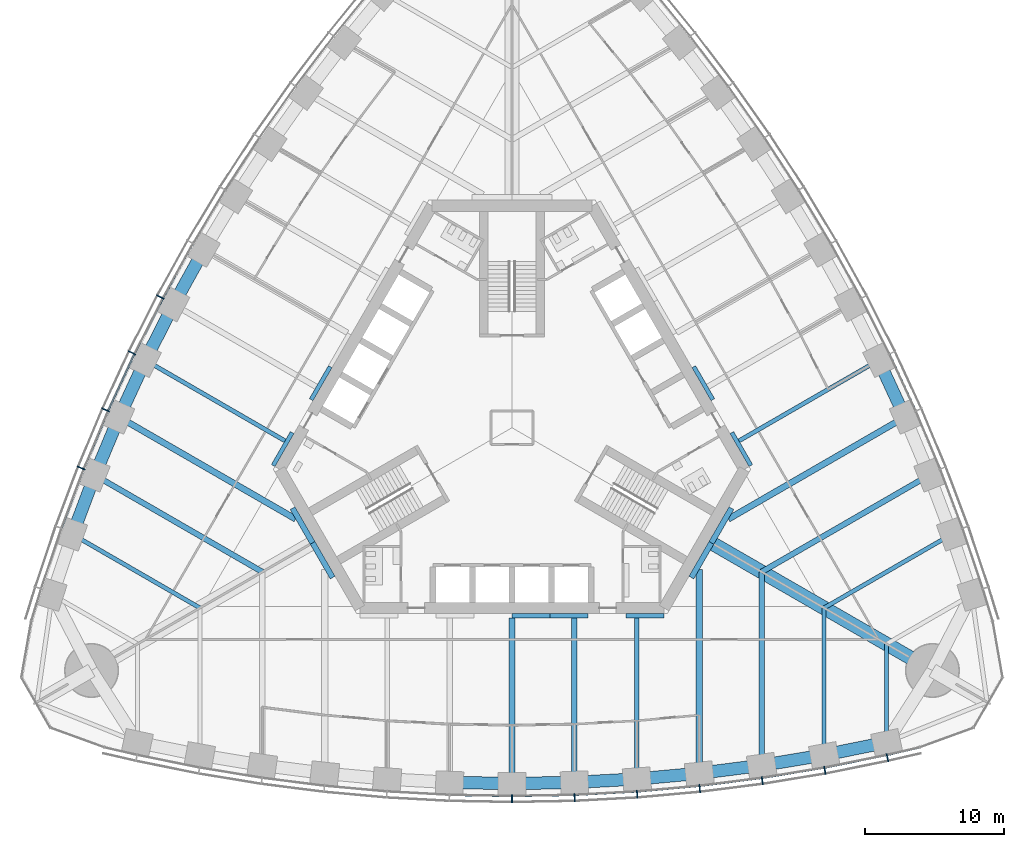
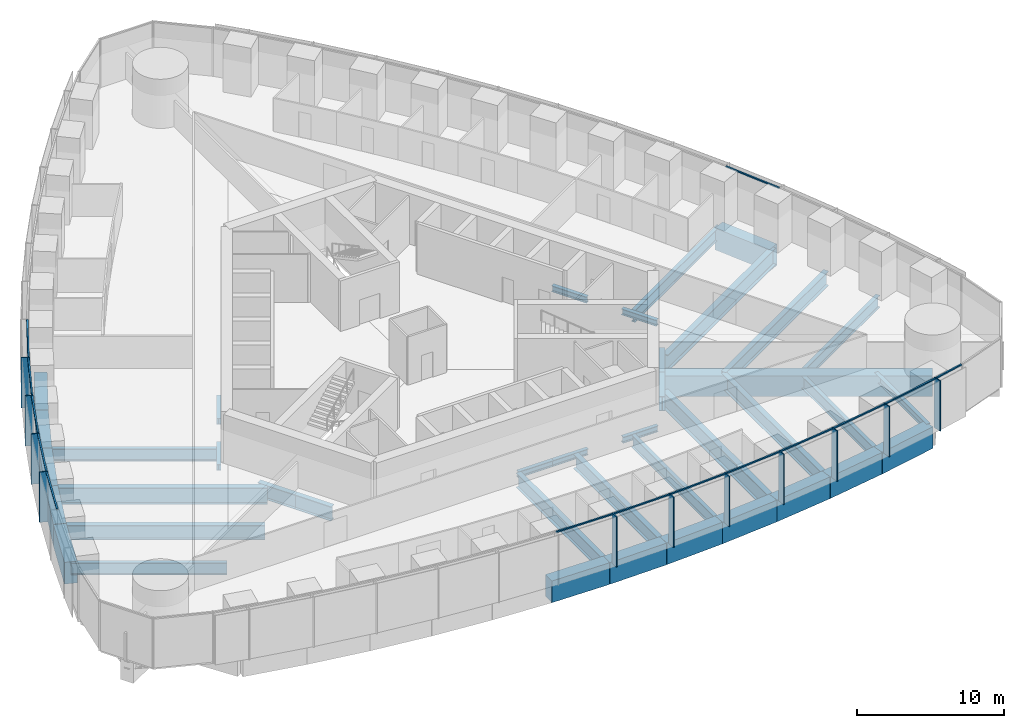
# One storey, part 3 of 19: 40 beams, 25 members, 3 elements without a shape of their own.
"""IFC4 building model written with IfcOpenShell, lengths in metres."""

from ifc_helpers import new_model, si_unit, direction, frame, origin, origin_2d, place, context, subcontext, project, spatial, rectangle, i_section, extrude, material, material_profile, profile_set, type_object, element, aggregate, save


model = new_model("IFC4")

# Units and contexts
model_context = context("Model", 3, precision=1e-05, world=origin(), true_north=direction((0.0, 1.0)))
body_context = subcontext(model_context, "Body", "Model", "MODEL_VIEW")
ifc_project = project(units=[si_unit("LENGTHUNIT", "METRE"), si_unit("AREAUNIT", "SQUARE_METRE"), si_unit("VOLUMEUNIT", "CUBIC_METRE"), si_unit("PLANEANGLEUNIT", "RADIAN"), si_unit("MASSUNIT", "GRAM", prefix="KILO")], contexts=[model_context])

# Site, building, storey
site_placement = place(None, origin())
site = spatial("IfcSite", under=ifc_project, at=site_placement, CompositionType="ELEMENT")
building_placement = place(site_placement, origin())
building = spatial("IfcBuilding", under=site, at=building_placement, Name="Trefoil Bronze Tower", CompositionType="ELEMENT")
storey_placement = place(building_placement, frame((0.0, 0.0, 166.10009765625)))
storey = spatial("IfcBuildingStorey", under=building, at=storey_placement, Name="L38", CompositionType="ELEMENT", Elevation=166.10009765625)

# Curtain wall, members
ifc_material_1 = material(Name="Tinted solar-control glass", Category="glass")
curtain_wall_type = type_object("IfcCurtainWallType", Name="Bronze office curtain wall", PredefinedType="USERDEFINED", material=ifc_material_1)
curtain_wall_1_placement = place(storey_placement, origin())
curtain_wall_1 = element("IfcCurtainWall", 1, at=curtain_wall_1_placement, inside=storey, type_object=curtain_wall_type, Name="CW-A L38 F1", ObjectType="CURTAIN WALL", PredefinedType="USERDEFINED")
ifc_material_2 = material(Name="Bronze-finish aluminium", Category="aluminium")
ifc_material_profile_1 = material_profile(ifc_material_2, rectangle(XDim=0.60009765625, YDim=0.080078125, at=origin_2d()), Name="CW-A mullion")
ifc_profile_set_1 = profile_set([ifc_material_profile_1], Name="Bronze-finish aluminium")
member_type_1 = type_object("IfcMemberType", Name="Bronze office curtain wall mullion", PredefinedType="MULLION", material=ifc_profile_set_1)
member_1_placement = place(storey_placement, frame((0.0, -26.749755859375, 0.0), z_axis=(0.0, 0.0, 1.0), x_axis=(0.0, 1.0, 0.0)))
member_1 = element("IfcMember", 2, at=member_1_placement, type_object=member_type_1, Name="CW-A L38 F1 mullion 8", PredefinedType="MULLION", context=body_context, shape_type="SweptSolid", body=[
    extrude(rectangle(XDim=0.60009765625, YDim=0.080078125, at=origin_2d()), origin(), (0.0, 0.0, 1.0), 4.179931640625),
])
member_2_placement = place(storey_placement, frame((4.5107421875, -26.66845703125, 0.0), z_axis=(0.0, 0.0, 1.0), x_axis=(-0.036047792107, 0.999350067136, 0.0)))
member_2 = element("IfcMember", 3, at=member_2_placement, type_object=member_type_1, Name="CW-A L38 F1 mullion 9", PredefinedType="MULLION", context=body_context, shape_type="SweptSolid", body=[
    extrude(rectangle(XDim=0.60009765625, YDim=0.080078125, at=origin_2d()), origin(), (0.0, 0.0, 1.0), 4.179931640625),
])
member_3_placement = place(storey_placement, frame((9.021728515625, -26.424072265625, 0.0), z_axis=(0.0, 0.0, 1.0), x_axis=(-0.072095676284, 0.997397720802, 0.0)))
member_3 = element("IfcMember", 4, at=member_3_placement, type_object=member_type_1, Name="CW-A L38 F1 mullion 10", PredefinedType="MULLION", context=body_context, shape_type="SweptSolid", body=[
    extrude(rectangle(XDim=0.60009765625, YDim=0.080078125, at=origin_2d()), origin(), (0.0, 0.0, 1.0), 4.179931640625),
])
member_4_placement = place(storey_placement, frame((13.532470703125, -26.01611328125, 0.0), z_axis=(0.0, 0.0, 1.0), x_axis=(-0.108143747013, 0.994135267447, 0.0)))
member_4 = element("IfcMember", 5, at=member_4_placement, type_object=member_type_1, Name="CW-A L38 F1 mullion 11", PredefinedType="MULLION", context=body_context, shape_type="SweptSolid", body=[
    extrude(rectangle(XDim=0.60009765625, YDim=0.080078125, at=origin_2d()), origin(), (0.0, 0.0, 1.0), 4.179931640625),
])
member_5_placement = place(storey_placement, frame((18.043212890625, -25.4423828125, 0.0), z_axis=(0.0, 0.0, 1.0), x_axis=(-0.144192103798, 0.989549714366, 0.0)))
member_5 = element("IfcMember", 6, at=member_5_placement, type_object=member_type_1, Name="CW-A L38 F1 mullion 12", PredefinedType="MULLION", context=body_context, shape_type="SweptSolid", body=[
    extrude(rectangle(XDim=0.60009765625, YDim=0.080078125, at=origin_2d()), origin(), (0.0, 0.0, 1.0), 4.179931640625),
])
member_6_placement = place(storey_placement, frame((22.553955078125, -24.700927734375, 0.0), z_axis=(0.0, 0.0, 1.0), x_axis=(-0.180240853954, 0.98362250613, 0.0)))
member_6 = element("IfcMember", 7, at=member_6_placement, type_object=member_type_1, Name="CW-A L38 F1 mullion 13", PredefinedType="MULLION", context=body_context, shape_type="SweptSolid", body=[
    extrude(rectangle(XDim=0.60009765625, YDim=0.080078125, at=origin_2d()), origin(), (0.0, 0.0, 1.0), 4.179931640625),
])
member_7_placement = place(storey_placement, frame((27.0634765625, -23.7890625, 0.0), z_axis=(0.0, 0.0, 1.0), x_axis=(-0.21197042503, 0.977276081214, 0.0)))
member_7 = element("IfcMember", 8, at=member_7_placement, type_object=member_type_1, Name="CW-A L38 F1 mullion 14", PredefinedType="MULLION", context=body_context, shape_type="SweptSolid", body=[
    extrude(rectangle(XDim=0.60009765625, YDim=0.080078125, at=origin_2d()), origin(), (0.0, 0.0, 1.0), 4.179931640625),
])

curtain_wall_2_placement = place(storey_placement, origin())
curtain_wall_2 = element("IfcCurtainWall", 9, at=curtain_wall_2_placement, inside=storey, type_object=curtain_wall_type, Name="CW-A L38 F3", ObjectType="CURTAIN WALL", PredefinedType="USERDEFINED")
member_8_placement = place(storey_placement, frame((-25.350830078125, 9.427734375, 0.0), z_axis=(0.0, 0.0, 1.0), x_axis=(0.883486441467, -0.468456729853, 0.0)))
member_8 = element("IfcMember", 10, at=member_8_placement, type_object=member_type_1, Name="CW-A L38 F3 mullion 9", PredefinedType="MULLION", context=body_context, shape_type="SweptSolid", body=[
    extrude(rectangle(XDim=0.60009765625, YDim=0.080078125, at=origin_2d()), origin(), (0.0, 0.0, 1.0), 4.179931640625),
])
member_9_placement = place(storey_placement, frame((-27.394775390625, 5.399169921875, 0.0), z_axis=(0.0, 0.0, 1.0), x_axis=(0.899819602033, -0.436262173236, 0.0)))
member_9 = element("IfcMember", 11, at=member_9_placement, type_object=member_type_1, Name="CW-A L38 F3 mullion 10", PredefinedType="MULLION", context=body_context, shape_type="SweptSolid", body=[
    extrude(rectangle(XDim=0.60009765625, YDim=0.080078125, at=origin_2d()), origin(), (0.0, 0.0, 1.0), 4.179931640625),
])
member_10_placement = place(storey_placement, frame((-29.296875, 1.28857421875, 0.0), z_axis=(0.0, 0.0, 1.0), x_axis=(0.915018269914, -0.40341240155, 0.0)))
member_10 = element("IfcMember", 12, at=member_10_placement, type_object=member_type_1, Name="CW-A L38 F3 mullion 11", PredefinedType="MULLION", context=body_context, shape_type="SweptSolid", body=[
    extrude(rectangle(XDim=0.60009765625, YDim=0.080078125, at=origin_2d()), origin(), (0.0, 0.0, 1.0), 4.179931640625),
])
member_11_placement = place(storey_placement, frame((-31.055419921875, -2.90478515625, 0.0), z_axis=(0.0, 0.0, 1.0), x_axis=(0.929071242848, -0.369900832269, 0.0)))
member_11 = element("IfcMember", 13, at=member_11_placement, type_object=member_type_1, Name="CW-A L38 F3 mullion 12", PredefinedType="MULLION", context=body_context, shape_type="SweptSolid", body=[
    extrude(rectangle(XDim=0.60009765625, YDim=0.080078125, at=origin_2d()), origin(), (0.0, 0.0, 1.0), 4.179931640625),
])

# Member
ifc_material_3 = material(Name="Bronze-finish aluminium", Category="aluminium")
ifc_material_profile_2 = material_profile(ifc_material_3, rectangle(XDim=0.1201171875, YDim=0.10009765625, at=origin_2d()), Name="CW-A transom")
ifc_profile_set_2 = profile_set([ifc_material_profile_2], Name="Bronze-finish aluminium")
member_type_2 = type_object("IfcMemberType", Name="Bronze office curtain wall transom", PredefinedType="USERDEFINED", material=ifc_profile_set_2)
member_12_placement = place(storey_placement, frame((-4.4619140625, -26.46923828125, 4.1298828125), z_axis=(0.999837930028, -0.018003157426, 0.0), x_axis=(0.018003157426, 0.999837930028, 0.0)))
member_12 = element("IfcMember", 14, at=member_12_placement, type_object=member_type_2, Name="CW-A L38 F1 transom 7", ObjectType="TRANSOM", PredefinedType="USERDEFINED", context=body_context, shape_type="SweptSolid", body=[
    extrude(rectangle(XDim=0.1201171875, YDim=0.10009765625, at=origin_2d()), origin(), (0.0, 0.0, 1.0), 4.4208984375),
])

member_13_placement = place(storey_placement, frame((0.041748046875, -26.548828125, 4.1298828125), z_axis=(0.999837930028, 0.018003157426, 0.0), x_axis=(-0.018003157426, 0.999837930028, 0.0)))
member_13 = element("IfcMember", 15, at=member_13_placement, type_object=member_type_2, Name="CW-A L38 F1 transom 8", ObjectType="TRANSOM", PredefinedType="USERDEFINED", context=body_context, shape_type="SweptSolid", body=[
    extrude(rectangle(XDim=0.1201171875, YDim=0.10009765625, at=origin_2d()), origin(), (0.0, 0.0, 1.0), 4.4208984375),
])

member_14_placement = place(storey_placement, frame((4.54541015625, -26.46630859375, 4.1298828125), z_axis=(0.998538253569, 0.054049571306, 0.0), x_axis=(-0.054049571306, 0.998538253569, 0.0)))
member_14 = element("IfcMember", 16, at=member_14_placement, type_object=member_type_2, Name="CW-A L38 F1 transom 9", ObjectType="TRANSOM", PredefinedType="USERDEFINED", context=body_context, shape_type="SweptSolid", body=[
    extrude(rectangle(XDim=0.1201171875, YDim=0.10009765625, at=origin_2d()), origin(), (0.0, 0.0, 1.0), 4.4267578125),
])

member_15_placement = place(storey_placement, frame((9.048828125, -26.220947265625, 4.1298828125), z_axis=(0.995932787062, 0.090099298863, 0.0), x_axis=(-0.090099298863, 0.995932787062, 0.0)))
member_15 = element("IfcMember", 17, at=member_15_placement, type_object=member_type_2, Name="CW-A L38 F1 transom 10", ObjectType="TRANSOM", PredefinedType="USERDEFINED", context=body_context, shape_type="SweptSolid", body=[
    extrude(rectangle(XDim=0.1201171875, YDim=0.10009765625, at=origin_2d()), origin(), (0.0, 0.0, 1.0), 4.4384765625),
])

member_16_placement = place(storey_placement, frame((13.55224609375, -25.81201171875, 4.1298828125), z_axis=(0.992008387848, 0.12617193998, 0.0), x_axis=(-0.12617193998, 0.992008387848, 0.0)))
member_16 = element("IfcMember", 18, at=member_16_placement, type_object=member_type_2, Name="CW-A L38 F1 transom 11", ObjectType="TRANSOM", PredefinedType="USERDEFINED", context=body_context, shape_type="SweptSolid", body=[
    extrude(rectangle(XDim=0.1201171875, YDim=0.10009765625, at=origin_2d()), origin(), (0.0, 0.0, 1.0), 4.456298828125),
])

member_17_placement = place(storey_placement, frame((18.0556640625, -25.23779296875, 4.1298828125), z_axis=(0.986755265284, 0.162216048636, 0.0), x_axis=(-0.162216048636, 0.986755265284, 0.0)))
member_17 = element("IfcMember", 19, at=member_17_placement, type_object=member_type_2, Name="CW-A L38 F1 transom 12", ObjectType="TRANSOM", PredefinedType="USERDEFINED", context=body_context, shape_type="SweptSolid", body=[
    extrude(rectangle(XDim=0.1201171875, YDim=0.10009765625, at=origin_2d()), origin(), (0.0, 0.0, 1.0), 4.48046875),
])

member_18_placement = place(storey_placement, frame((22.55908203125, -24.49609375, 4.1298828125), z_axis=(0.980153749225, 0.198238815273, 0.0), x_axis=(-0.198238815273, 0.980153749225, 0.0)))
member_18 = element("IfcMember", 20, at=member_18_placement, type_object=member_type_2, Name="CW-A L38 F1 transom 13", ObjectType="TRANSOM", PredefinedType="USERDEFINED", context=body_context, shape_type="SweptSolid", body=[
    extrude(rectangle(XDim=0.1201171875, YDim=0.10009765625, at=origin_2d()), origin(), (0.0, 0.0, 1.0), 4.51123046875),
])

member_19_placement = place(storey_placement, frame((27.0615234375, -23.584228515625, 4.1298828125), z_axis=(0.974206243495, 0.225659467196, 0.0), x_axis=(-0.225659467196, 0.974206243495, 0.0)))
member_19 = element("IfcMember", 21, at=member_19_placement, type_object=member_type_2, Name="CW-A L38 F1 transom 14", ObjectType="TRANSOM", PredefinedType="USERDEFINED", context=body_context, shape_type="SweptSolid", body=[
    extrude(rectangle(XDim=0.1201171875, YDim=0.10009765625, at=origin_2d()), origin(), (0.0, 0.0, 1.0), 2.340087890625),
])

aggregate(curtain_wall_1, [member_1, member_2, member_3, member_4, member_5, member_6, member_7, member_12, member_13, member_14, member_15, member_16, member_17, member_18, member_19])

# Curtain wall, member
curtain_wall_3_placement = place(storey_placement, origin())
curtain_wall_3 = element("IfcCurtainWall", 22, at=curtain_wall_3_placement, inside=storey, type_object=curtain_wall_type, Name="CW-A L38 F2", ObjectType="CURTAIN WALL", PredefinedType="USERDEFINED")
member_20_placement = place(storey_placement, frame((29.09619140625, 1.245849609375, 4.1298828125), z_axis=(-0.419923072198, 0.907559702409, 0.0), x_axis=(-0.907559702409, -0.419923072198, 0.0)))
member_20 = element("IfcMember", 23, at=member_20_placement, type_object=member_type_2, Name="CW-A L38 F2 transom 5", ObjectType="TRANSOM", PredefinedType="USERDEFINED", context=body_context, shape_type="SweptSolid", body=[
    extrude(rectangle(XDim=0.1201171875, YDim=0.10009765625, at=origin_2d()), origin(), (0.0, 0.0, 1.0), 4.4384765625),
])
aggregate(curtain_wall_3, [member_20])

# Member
member_21_placement = place(storey_placement, frame((-23.012939453125, 13.23828125, 4.1298828125), z_axis=(-0.484329470343, -0.874885686337, 0.0), x_axis=(0.874885686337, -0.484329470343, 0.0)))
member_21 = element("IfcMember", 24, at=member_21_placement, type_object=member_type_2, Name="CW-A L38 F3 transom 8", ObjectType="TRANSOM", PredefinedType="USERDEFINED", context=body_context, shape_type="SweptSolid", body=[
    extrude(rectangle(XDim=0.1201171875, YDim=0.10009765625, at=origin_2d()), origin(), (0.0, 0.0, 1.0), 4.4208984375),
])

member_22_placement = place(storey_placement, frame((-25.193115234375, 9.296630859375, 4.1298828125), z_axis=(-0.452478489814, -0.891775317138, 0.0), x_axis=(0.891775317138, -0.452478489814, 0.0)))
member_22 = element("IfcMember", 25, at=member_22_placement, type_object=member_type_2, Name="CW-A L38 F3 transom 9", ObjectType="TRANSOM", PredefinedType="USERDEFINED", context=body_context, shape_type="SweptSolid", body=[
    extrude(rectangle(XDim=0.1201171875, YDim=0.10009765625, at=origin_2d()), origin(), (0.0, 0.0, 1.0), 4.426513671875),
])

member_23_placement = place(storey_placement, frame((-27.232421875, 5.27392578125, 4.1298828125), z_axis=(-0.419923072198, -0.907559702409, 0.0), x_axis=(0.907559702409, -0.419923072198, 0.0)))
member_23 = element("IfcMember", 26, at=member_23_placement, type_object=member_type_2, Name="CW-A L38 F3 transom 10", ObjectType="TRANSOM", PredefinedType="USERDEFINED", context=body_context, shape_type="SweptSolid", body=[
    extrude(rectangle(XDim=0.1201171875, YDim=0.10009765625, at=origin_2d()), origin(), (0.0, 0.0, 1.0), 4.4384765625),
])

member_24_placement = place(storey_placement, frame((-29.1298828125, 1.16943359375, 4.1298828125), z_axis=(-0.386773266184, -0.922174842731, 0.0), x_axis=(0.922174842731, -0.386773266184, 0.0)))
member_24 = element("IfcMember", 27, at=member_24_placement, type_object=member_type_2, Name="CW-A L38 F3 transom 11", ObjectType="TRANSOM", PredefinedType="USERDEFINED", context=body_context, shape_type="SweptSolid", body=[
    extrude(rectangle(XDim=0.1201171875, YDim=0.10009765625, at=origin_2d()), origin(), (0.0, 0.0, 1.0), 4.45654296875),
])

member_25_placement = place(storey_placement, frame((-30.88427734375, -3.017822265625, 4.1298828125), z_axis=(-0.352932154759, -0.935648916067, 0.0), x_axis=(0.935648916067, -0.352932154759, 0.0)))
member_25 = element("IfcMember", 28, at=member_25_placement, type_object=member_type_2, Name="CW-A L38 F3 transom 12", ObjectType="TRANSOM", PredefinedType="USERDEFINED", context=body_context, shape_type="SweptSolid", body=[
    extrude(rectangle(XDim=0.1201171875, YDim=0.10009765625, at=origin_2d()), origin(), (0.0, 0.0, 1.0), 4.48046875),
])

aggregate(curtain_wall_2, [member_8, member_9, member_10, member_11, member_21, member_22, member_23, member_24, member_25])

# Beams
ifc_material_4 = material(Name="Steel C355", Category="steel")
ifc_material_profile_3 = material_profile(ifc_material_4, i_section(OverallWidth=0.300048828125, OverallDepth=0.5, WebThickness=0.014404296875, FlangeThickness=0.028076171875, FilletRadius=0.027099609375, at=origin_2d()), Name="HEB 500")
ifc_profile_set_3 = profile_set([ifc_material_profile_3], Name="Steel C355")
beam_type_1 = type_object("IfcBeamType", Name="Core seat beam HEB 500", PredefinedType="BEAM", material=ifc_profile_set_3)
for number, where, z_axis, x_axis, name in (
    (29, (0.0, -13.550048828125, -0.4501953125), (1.0, 0.0, 0.0), (0.0, 1.0, 0.0), "Core seat beam F1/+0 L38"),
    (30, (2.742431640625, -13.550048828125, -0.4501953125), (1.0, 0.0, 0.0), (0.0, 1.0, 0.0), "Core seat beam F1/+1 L38"),
    (31, (8.227294921875, -13.550048828125, -0.4501953125), (1.0, 0.0, 0.0), (0.0, 1.0, 0.0), "Core seat beam F1/+2 L38"),
    (32, (17.219482421875, -2.72509765625, -0.4501953125), (-0.500035825175, 0.866004719122, 0.0), (-0.866004719122, -0.500035825175, 0.0), "Core seat beam F2/-2 L38"),
    (33, (14.47705078125, 2.02490234375, -0.4501953125), (-0.499969057507, 0.866043267704, 0.0), (-0.866043267704, -0.499969057507, 0.0), "Core seat beam F2/-1 L38"),
    (34, (-13.10595703125, 4.39990234375, -0.4501953125), (-0.499969057507, -0.866043267704, 0.0), (0.866043267704, -0.499969057507, 0.0), "Core seat beam F3/+1 L38"),
    (35, (-15.84814453125, -0.35009765625, -0.4501953125), (-0.500035825175, -0.866004719122, 0.0), (0.866004719122, -0.500035825175, 0.0), "Core seat beam F3/+2 L38"),
):
    element("IfcBeam", number, at=place(storey_placement, frame(where, z_axis=z_axis, x_axis=x_axis)), inside=storey, type_object=beam_type_1, Name=name, PredefinedType="BEAM", context=body_context, shape_type="SweptSolid", body=[
        extrude(i_section(OverallWidth=0.300048828125, OverallDepth=0.5, WebThickness=0.014404296875, FlangeThickness=0.028076171875, FilletRadius=0.027099609375, at=origin_2d()), origin(), (0.0, 0.0, 1.0), 2.742431640625),
    ])
ifc_material_5 = material(Name="Steel C355", Category="steel")
ifc_material_profile_4 = material_profile(ifc_material_5, i_section(OverallWidth=0.39990234375, OverallDepth=1.199951171875, WebThickness=0.02001953125, FlangeThickness=0.0400390625, FilletRadius=0.010009765625, at=origin_2d()), Name="WPG 1200")
ifc_profile_set_4 = profile_set([ifc_material_profile_4], Name="Steel C355")
beam_type_2 = type_object("IfcBeamType", Name="Core seat beam WPG 1200", PredefinedType="BEAM", material=ifc_profile_set_4)
for number, where, z_axis, x_axis, name in (
    (36, (-14.3759765625, -8.300048828125, -0.800048828125), (0.499995765644, -0.866027848477, 0.0), (0.866027848477, 0.499995765644, 0.0), "Core seat beam F1/-3 L38"),
    (37, (12.9326171875, -10.800048828125, -0.800048828125), (0.499995765644, 0.866027848477, 0.0), (-0.866027848477, 0.499995765644, 0.0), "Core seat beam F1/+3 L38"),
    (38, (14.3759765625, -8.300048828125, -0.800048828125), (0.499995765644, 0.866027848477, 0.0), (-0.866027848477, 0.499995765644, 0.0), "Core seat beam F2/-3 L38"),
    (39, (-15.8193359375, -5.800048828125, -0.800048828125), (0.499995765644, -0.866027848477, 0.0), (0.866027848477, 0.499995765644, 0.0), "Core seat beam F3/+3 L38"),
):
    element("IfcBeam", number, at=place(storey_placement, frame(where, z_axis=z_axis, x_axis=x_axis)), inside=storey, type_object=beam_type_2, Name=name, PredefinedType="BEAM", context=body_context, shape_type="SweptSolid", body=[
        extrude(i_section(OverallWidth=0.39990234375, OverallDepth=1.199951171875, WebThickness=0.02001953125, FlangeThickness=0.0400390625, FilletRadius=0.010009765625, at=origin_2d()), origin(), (0.0, 0.0, 1.0), 2.88671875),
    ])
ifc_material_6 = material(Name="Concrete B80", Category="concrete")
ifc_material_profile_5 = material_profile(ifc_material_6, rectangle(XDim=1.0, YDim=1.699951171875, at=origin_2d()), Name="RC 1000x1700")
ifc_profile_set_5 = profile_set([ifc_material_profile_5], Name="Concrete B80")
beam_type_3 = type_object("IfcBeamType", Name="Corner girder RC 1000x1700", PredefinedType="BEAM", material=ifc_profile_set_5)
beam_1_placement = place(storey_placement, frame((14.202880859375, -8.199951171875, -1.050048828125), z_axis=(0.866022084834, -0.500005748546, 0.0), x_axis=(0.500005748546, 0.866022084834, 0.0)))
element("IfcBeam", 40, at=beam_1_placement, inside=storey, type_object=beam_type_3, Name="Corner girder K1 L38", PredefinedType="BEAM", context=body_context, shape_type="SweptSolid", body=[
    extrude(rectangle(XDim=1.0, YDim=1.699951171875, at=origin_2d()), origin(), (0.0, 0.0, 1.0), 18.599853515625),
])
ifc_material_7 = material(Name="Steel C355", Category="steel")
ifc_material_profile_6 = material_profile(ifc_material_7, i_section(OverallWidth=0.300048828125, OverallDepth=1.0, WebThickness=0.01904296875, FlangeThickness=0.035888671875, FilletRadius=0.030029296875, at=origin_2d()), Name="HEB 1000")
ifc_profile_set_6 = profile_set([ifc_material_profile_6], Name="Steel C355")
beam_type_4 = type_object("IfcBeamType", Name="Floor beam HEB 1000", PredefinedType="BEAM", material=ifc_profile_set_6)
beam_2_placement = place(storey_placement, frame((22.5, -23.592529296875, -0.7001953125), z_axis=(0.0, 1.0, 0.0), x_axis=(-1.0, 0.0, 0.0)))
element("IfcBeam", 41, at=beam_2_placement, inside=storey, type_object=beam_type_4, Name="Floor beam F1/+5 L38", PredefinedType="BEAM", context=body_context, shape_type="SweptSolid", body=[
    extrude(i_section(OverallWidth=0.300048828125, OverallDepth=1.0, WebThickness=0.01904296875, FlangeThickness=0.035888671875, FilletRadius=0.030029296875, at=origin_2d()), origin(), (0.0, 0.0, 1.0), 10.60205078125),
])
for number, where, z_axis, x_axis, name in (
    (42, (31.681884765625, -7.689208984375, -0.7001953125), (-0.866021079084, -0.500007490527, 0.0), (0.500007490527, -0.866021079084, 0.0), "Floor beam F2/-5 L38"),
    (43, (-31.681884765625, -7.689208984375, -0.7001953125), (0.866021079084, -0.500007490527, 0.0), (0.500007490527, 0.866021079084, 0.0), "Floor beam F3/+5 L38"),
):
    element("IfcBeam", number, at=place(storey_placement, frame(where, z_axis=z_axis, x_axis=x_axis)), inside=storey, type_object=beam_type_4, Name=name, PredefinedType="BEAM", context=body_context, shape_type="SweptSolid", body=[
        extrude(i_section(OverallWidth=0.300048828125, OverallDepth=1.0, WebThickness=0.01904296875, FlangeThickness=0.035888671875, FilletRadius=0.030029296875, at=origin_2d()), origin(), (0.0, 0.0, 1.0), 10.602294921875),
    ])
ifc_material_8 = material(Name="Steel C355", Category="steel")
ifc_material_profile_7 = material_profile(ifc_material_8, i_section(OverallWidth=0.300048828125, OverallDepth=0.60009765625, WebThickness=0.015380859375, FlangeThickness=0.030029296875, FilletRadius=0.027099609375, at=origin_2d()), Name="HEB 600")
ifc_profile_set_7 = profile_set([ifc_material_profile_7], Name="Steel C355")
beam_type_5 = type_object("IfcBeamType", Name="Floor beam HEB 600", PredefinedType="BEAM", material=ifc_profile_set_7)
beam_3_placement = place(storey_placement, frame((27.0, -22.67724609375, -0.5), z_axis=(0.0, 1.0, 0.0), x_axis=(-1.0, 0.0, 0.0)))
element("IfcBeam", 44, at=beam_3_placement, inside=storey, type_object=beam_type_5, Name="Floor beam F1/+6 L38", PredefinedType="BEAM", context=body_context, shape_type="SweptSolid", body=[
    extrude(i_section(OverallWidth=0.300048828125, OverallDepth=0.60009765625, WebThickness=0.015380859375, FlangeThickness=0.030029296875, FilletRadius=0.027099609375, at=origin_2d()), origin(), (0.0, 0.0, 1.0), 7.0888671875),
])
ifc_material_9 = material(Name="Steel C355", Category="steel")
ifc_material_profile_8 = material_profile(ifc_material_9, i_section(OverallWidth=0.302001953125, OverallDepth=1.008056640625, WebThickness=0.02099609375, FlangeThickness=0.0400390625, FilletRadius=0.030029296875, at=origin_2d()), Name="HEM 1000")
ifc_profile_set_8 = profile_set([ifc_material_profile_8], Name="Steel C355")
beam_type_6 = type_object("IfcBeamType", Name="Floor beam HEM 1000", PredefinedType="BEAM", material=ifc_profile_set_8)
for number, where, z_axis, x_axis, name in (
    (45, (9.0, -25.32275390625, -0.7041015625), (0.0, 1.0, 0.0), (-1.0, 0.0, 0.0), "Floor beam F1/+2 L38"),
    (46, (26.43017578125, 4.8671875, -0.7041015625), (-0.866021531335, -0.500006707218, 0.0), (0.500006707218, -0.866021531335, 0.0), "Floor beam F2/-2 L38"),
    (47, (-26.43017578125, 4.8671875, -0.7041015625), (0.866021531335, -0.500006707218, 0.0), (0.500006707218, 0.866021531335, 0.0), "Floor beam F3/+2 L38"),
):
    element("IfcBeam", number, at=place(storey_placement, frame(where, z_axis=z_axis, x_axis=x_axis)), inside=storey, type_object=beam_type_6, Name=name, PredefinedType="BEAM", context=body_context, shape_type="SweptSolid", body=[
        extrude(i_section(OverallWidth=0.302001953125, OverallDepth=1.008056640625, WebThickness=0.02099609375, FlangeThickness=0.0400390625, FilletRadius=0.030029296875, at=origin_2d()), origin(), (0.0, 0.0, 1.0), 11.622802734375),
    ])
ifc_material_10 = material(Name="Steel C355", Category="steel")
ifc_material_profile_9 = material_profile(ifc_material_10, i_section(OverallWidth=0.39990234375, OverallDepth=1.199951171875, WebThickness=0.02001953125, FlangeThickness=0.0400390625, FilletRadius=0.010009765625, at=origin_2d()), Name="WPG 1200")
ifc_profile_set_9 = profile_set([ifc_material_profile_9], Name="Steel C355")
beam_type_7 = type_object("IfcBeamType", Name="Floor beam WPG 1200", PredefinedType="BEAM", material=ifc_profile_set_9)
beam_4_placement = place(storey_placement, frame((0.0, -25.649658203125, -0.800048828125), z_axis=(0.0, 1.0, 0.0), x_axis=(-1.0, 0.0, 0.0)))
element("IfcBeam", 48, at=beam_4_placement, inside=storey, type_object=beam_type_7, Name="Floor beam F1/+0 L38", PredefinedType="BEAM", context=body_context, shape_type="SweptSolid", body=[
    extrude(i_section(OverallWidth=0.39990234375, OverallDepth=1.199951171875, WebThickness=0.02001953125, FlangeThickness=0.0400390625, FilletRadius=0.010009765625, at=origin_2d()), origin(), (0.0, 0.0, 1.0), 11.94970703125),
])
beam_5_placement = place(storey_placement, frame((4.5, -25.568115234375, -0.800048828125), z_axis=(0.0, 1.0, 0.0), x_axis=(-1.0, 0.0, 0.0)))
element("IfcBeam", 49, at=beam_5_placement, inside=storey, type_object=beam_type_7, Name="Floor beam F1/+1 L38", PredefinedType="BEAM", context=body_context, shape_type="SweptSolid", body=[
    extrude(i_section(OverallWidth=0.39990234375, OverallDepth=1.199951171875, WebThickness=0.02001953125, FlangeThickness=0.0400390625, FilletRadius=0.010009765625, at=origin_2d()), origin(), (0.0, 0.0, 1.0), 11.8681640625),
])
for number, where, z_axis, x_axis, name in (
    (50, (18.0, -24.337158203125, -0.800048828125), (0.0, 1.0, 0.0), (-1.0, 0.0, 0.0), "Floor beam F1/+4 L38"),
    (51, (30.07666015625, -3.419921875, -0.800048828125), (-0.866026983775, -0.499997263366, 0.0), (0.499997263366, -0.866026983775, 0.0), "Floor beam F2/-4 L38"),
    (52, (-30.07666015625, -3.419921875, -0.800048828125), (0.866026983775, -0.499997263366, 0.0), (0.499997263366, 0.866026983775, 0.0), "Floor beam F3/+4 L38"),
):
    element("IfcBeam", number, at=place(storey_placement, frame(where, z_axis=z_axis, x_axis=x_axis)), inside=storey, type_object=beam_type_7, Name=name, PredefinedType="BEAM", context=body_context, shape_type="SweptSolid", body=[
        extrude(i_section(OverallWidth=0.39990234375, OverallDepth=1.199951171875, WebThickness=0.02001953125, FlangeThickness=0.0400390625, FilletRadius=0.010009765625, at=origin_2d()), origin(), (0.0, 0.0, 1.0), 13.94482421875),
    ])
ifc_material_11 = material(Name="Steel C355", Category="steel")
ifc_material_profile_10 = material_profile(ifc_material_11, i_section(OverallWidth=0.449951171875, OverallDepth=1.39990234375, WebThickness=0.02294921875, FlangeThickness=0.044921875, FilletRadius=0.011962890625, at=origin_2d()), Name="WPG 1400")
ifc_profile_set_10 = profile_set([ifc_material_profile_10], Name="Steel C355")
beam_type_8 = type_object("IfcBeamType", Name="Floor beam WPG 1400", PredefinedType="BEAM", material=ifc_profile_set_10)
for number, where, z_axis, x_axis, name in (
    (53, (13.5, -24.9130859375, -0.900146484375), (0.0, 1.0, 0.0), (-1.0, 0.0, 0.0), "Floor beam F1/+3 L38"),
    (54, (28.325439453125, 0.76513671875, -0.900146484375), (-0.866027342682, -0.499996641717, 0.0), (0.499996641717, -0.866027342682, 0.0), "Floor beam F2/-3 L38"),
    (55, (-28.325439453125, 0.76513671875, -0.900146484375), (0.866027342682, -0.499996641717, 0.0), (0.499996641717, 0.866027342682, 0.0), "Floor beam F3/+3 L38"),
):
    element("IfcBeam", number, at=place(storey_placement, frame(where, z_axis=z_axis, x_axis=x_axis)), inside=storey, type_object=beam_type_8, Name=name, PredefinedType="BEAM", context=body_context, shape_type="SweptSolid", body=[
        extrude(i_section(OverallWidth=0.449951171875, OverallDepth=1.39990234375, WebThickness=0.02294921875, FlangeThickness=0.044921875, FilletRadius=0.011962890625, at=origin_2d()), origin(), (0.0, 0.0, 1.0), 14.69580078125),
    ])
ifc_material_12 = material(Name="Concrete B80", Category="concrete")
ifc_material_profile_11 = material_profile(ifc_material_12, rectangle(XDim=0.89990234375, YDim=1.800048828125, at=origin_2d()), Name="RC 900x1800")
ifc_profile_set_11 = profile_set([ifc_material_profile_11], Name="Concrete B80")
beam_type_9 = type_object("IfcBeamType", Name="Spandrel beam RC 900x1800", PredefinedType="SPANDREL", material=ifc_profile_set_11)
for number, where, z_axis, x_axis, name in (
    (56, (-4.5, -25.568115234375, -1.10009765625), (0.999835861267, -0.01811768542, 0.0), (0.01811768542, 0.999835861267, 0.0), "Spandrel F1.7 L38"),
    (57, (0.0, -25.649658203125, -1.10009765625), (0.999835861267, 0.01811768542, 0.0), (-0.01811768542, 0.999835861267, 0.0), "Spandrel F1.8 L38"),
):
    element("IfcBeam", number, at=place(storey_placement, frame(where, z_axis=z_axis, x_axis=x_axis)), inside=storey, type_object=beam_type_9, Name=name, PredefinedType="SPANDREL", context=body_context, shape_type="SweptSolid", body=[
        extrude(rectangle(XDim=0.89990234375, YDim=1.800048828125, at=origin_2d()), origin(), (0.0, 0.0, 1.0), 4.500732421875),
    ])
beam_6_placement = place(storey_placement, frame((4.5, -25.568115234375, -1.10009765625), z_axis=(0.998516832602, 0.054443870267, 0.0), x_axis=(-0.054443870267, 0.998516832602, 0.0)))
element("IfcBeam", 58, at=beam_6_placement, inside=storey, type_object=beam_type_9, Name="Spandrel F1.9 L38", PredefinedType="SPANDREL", context=body_context, shape_type="SweptSolid", body=[
    extrude(rectangle(XDim=0.89990234375, YDim=1.800048828125, at=origin_2d()), origin(), (0.0, 0.0, 1.0), 4.506591796875),
])
beam_7_placement = place(storey_placement, frame((9.0, -25.32275390625, -1.10009765625), z_axis=(0.995881683815, 0.090662405894, 0.0), x_axis=(-0.090662405894, 0.995881683815, 0.0)))
element("IfcBeam", 59, at=beam_7_placement, inside=storey, type_object=beam_type_9, Name="Spandrel F1.10 L38", PredefinedType="SPANDREL", context=body_context, shape_type="SweptSolid", body=[
    extrude(rectangle(XDim=0.89990234375, YDim=1.800048828125, at=origin_2d()), origin(), (0.0, 0.0, 1.0), 4.5185546875),
])
beam_8_placement = place(storey_placement, frame((13.5, -24.9130859375, -1.10009765625), z_axis=(0.991909314257, 0.126948463126, 0.0), x_axis=(-0.126948463126, 0.991909314257, 0.0)))
element("IfcBeam", 60, at=beam_8_placement, inside=storey, type_object=beam_type_9, Name="Spandrel F1.11 L38", PredefinedType="SPANDREL", context=body_context, shape_type="SweptSolid", body=[
    extrude(rectangle(XDim=0.89990234375, YDim=1.800048828125, at=origin_2d()), origin(), (0.0, 0.0, 1.0), 4.53662109375),
])
beam_9_placement = place(storey_placement, frame((18.0, -24.337158203125, -1.10009765625), z_axis=(0.986584214684, 0.163253138823, 0.0), x_axis=(-0.163253138823, 0.986584214684, 0.0)))
element("IfcBeam", 61, at=beam_9_placement, inside=storey, type_object=beam_type_9, Name="Spandrel F1.12 L38", PredefinedType="SPANDREL", context=body_context, shape_type="SweptSolid", body=[
    extrude(rectangle(XDim=0.89990234375, YDim=1.800048828125, at=origin_2d()), origin(), (0.0, 0.0, 1.0), 4.561279296875),
])
beam_10_placement = place(storey_placement, frame((22.5, -23.592529296875, -1.10009765625), z_axis=(0.979935430296, 0.199315208777, 0.0), x_axis=(-0.199315208777, 0.979935430296, 0.0)))
element("IfcBeam", 62, at=beam_10_placement, inside=storey, type_object=beam_type_9, Name="Spandrel F1.13 L38", PredefinedType="SPANDREL", context=body_context, shape_type="SweptSolid", body=[
    extrude(rectangle(XDim=0.89990234375, YDim=1.800048828125, at=origin_2d()), origin(), (0.0, 0.0, 1.0), 4.592041015625),
])
beam_11_placement = place(storey_placement, frame((28.325439453125, 0.76513671875, -1.10009765625), z_axis=(-0.419424747755, 0.907790108434, 0.0), x_axis=(-0.907790108434, -0.419424747755, 0.0)))
element("IfcBeam", 63, at=beam_11_placement, inside=storey, type_object=beam_type_9, Name="Spandrel F2.5 L38", PredefinedType="SPANDREL", context=body_context, shape_type="SweptSolid", body=[
    extrude(rectangle(XDim=0.89990234375, YDim=1.800048828125, at=origin_2d()), origin(), (0.0, 0.0, 1.0), 4.518798828125),
])
beam_12_placement = place(storey_placement, frame((-22.21337890625, 12.824951171875, -1.10009765625), z_axis=(-0.484186866546, -0.874964615436, 0.0), x_axis=(0.874964615436, -0.484186866546, 0.0)))
element("IfcBeam", 64, at=beam_12_placement, inside=storey, type_object=beam_type_9, Name="Spandrel F3.8 L38", PredefinedType="SPANDREL", context=body_context, shape_type="SweptSolid", body=[
    extrude(rectangle(XDim=0.89990234375, YDim=1.800048828125, at=origin_2d()), origin(), (0.0, 0.0, 1.0), 4.500732421875),
])
beam_13_placement = place(storey_placement, frame((-24.392578125, 8.886962890625, -1.10009765625), z_axis=(-0.452125717735, -0.891954222683, 0.0), x_axis=(0.891954222683, -0.452125717735, 0.0)))
element("IfcBeam", 65, at=beam_13_placement, inside=storey, type_object=beam_type_9, Name="Spandrel F3.9 L38", PredefinedType="SPANDREL", context=body_context, shape_type="SweptSolid", body=[
    extrude(rectangle(XDim=0.89990234375, YDim=1.800048828125, at=origin_2d()), origin(), (0.0, 0.0, 1.0), 4.506591796875),
])
beam_14_placement = place(storey_placement, frame((-26.43017578125, 4.8671875, -1.10009765625), z_axis=(-0.419424747755, -0.907790108434, 0.0), x_axis=(0.907790108434, -0.419424747755, 0.0)))
element("IfcBeam", 66, at=beam_14_placement, inside=storey, type_object=beam_type_9, Name="Spandrel F3.10 L38", PredefinedType="SPANDREL", context=body_context, shape_type="SweptSolid", body=[
    extrude(rectangle(XDim=0.89990234375, YDim=1.800048828125, at=origin_2d()), origin(), (0.0, 0.0, 1.0), 4.518798828125),
])
beam_15_placement = place(storey_placement, frame((-28.325439453125, 0.76513671875, -1.10009765625), z_axis=(-0.386013490858, -0.922493135408, 0.0), x_axis=(0.922493135408, -0.386013490858, 0.0)))
element("IfcBeam", 67, at=beam_15_placement, inside=storey, type_object=beam_type_9, Name="Spandrel F3.11 L38", PredefinedType="SPANDREL", context=body_context, shape_type="SweptSolid", body=[
    extrude(rectangle(XDim=0.89990234375, YDim=1.800048828125, at=origin_2d()), origin(), (0.0, 0.0, 1.0), 4.53662109375),
])
beam_16_placement = place(storey_placement, frame((-30.07666015625, -3.419921875, -1.10009765625), z_axis=(-0.351938675523, -0.936023059904, 0.0), x_axis=(0.936023059904, -0.351938675523, 0.0)))
element("IfcBeam", 68, at=beam_16_placement, inside=storey, type_object=beam_type_9, Name="Spandrel F3.12 L38", PredefinedType="SPANDREL", context=body_context, shape_type="SweptSolid", body=[
    extrude(rectangle(XDim=0.89990234375, YDim=1.800048828125, at=origin_2d()), origin(), (0.0, 0.0, 1.0), 4.56103515625),
])

save(model, "model.ifc")
